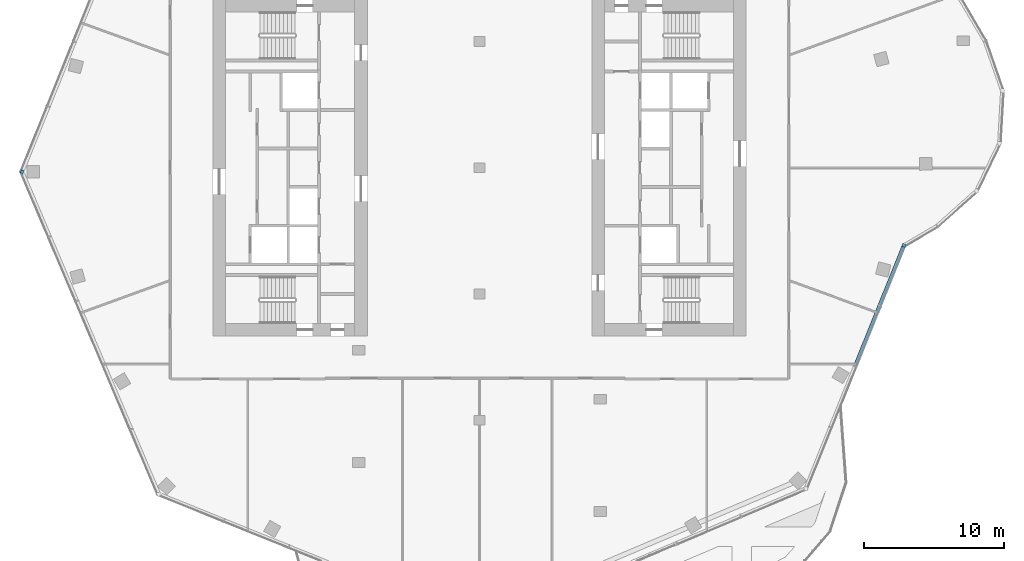
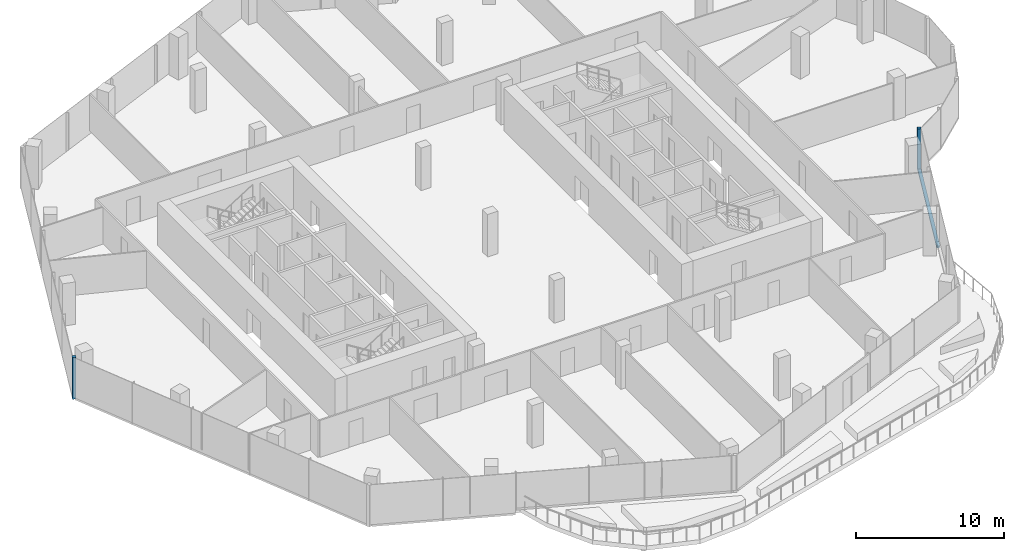
# One storey, part 5 of 17: 3 members, 2 elements without a shape of their own.
"""IFC4 building model written with IfcOpenShell, lengths in metres."""

from ifc_helpers import new_model, si_unit, direction, frame, origin, origin_2d, place, context, subcontext, project, spatial, rectangle, extrude, material, material_profile, profile_set, type_object, element, aggregate, save


model = new_model("IFC4")

# Units and contexts
model_context = context("Model", 3, precision=1e-05, world=origin(), true_north=direction((0.0, 1.0)))
body_context = subcontext(model_context, "Body", "Model", "MODEL_VIEW")
ifc_project = project(units=[si_unit("LENGTHUNIT", "METRE"), si_unit("AREAUNIT", "SQUARE_METRE"), si_unit("VOLUMEUNIT", "CUBIC_METRE"), si_unit("PLANEANGLEUNIT", "RADIAN"), si_unit("MASSUNIT", "GRAM", prefix="KILO")], contexts=[model_context])

# Site, building, storey
site_placement = place(None, origin())
site = spatial("IfcSite", under=ifc_project, at=site_placement, CompositionType="ELEMENT")
building_placement = place(site_placement, origin())
building = spatial("IfcBuilding", under=site, at=building_placement, Name="Orlundy Tower", CompositionType="ELEMENT")
storey_placement = place(building_placement, frame((0.0, 0.0, 296.39990234375)))
storey = spatial("IfcBuildingStorey", under=building, at=storey_placement, Name="L79", CompositionType="ELEMENT", Elevation=296.39990234375)

# Curtain wall, member
ifc_material_1 = material(Name="Aluminium bronze anodised", Category="aluminium")
curtain_wall_type = type_object("IfcCurtainWallType", Name="CW6 wall", PredefinedType="NOTDEFINED", material=ifc_material_1)
curtain_wall_1_placement = place(storey_placement, origin())
curtain_wall_1 = element("IfcCurtainWall", 1, at=curtain_wall_1_placement, inside=storey, type_object=curtain_wall_type, Name="CW6 run 01", PredefinedType="NOTDEFINED")
ifc_material_2 = material(Name="Aluminium bronze anodised", Category="aluminium")
ifc_material_profile_1 = material_profile(ifc_material_2, rectangle(XDim=0.239990234375, YDim=0.239990234375, at=origin_2d()), Name="CW6 corner post 240x240")
ifc_profile_set_1 = profile_set([ifc_material_profile_1], Name="Aluminium bronze anodised")
member_type_1 = type_object("IfcMemberType", Name="CW6 corner post 240x240", PredefinedType="MULLION", material=ifc_profile_set_1)
member_1_placement = place(storey_placement, frame((30.25, -5.53271484375, -0.39990234375), z_axis=(0.0, 0.0, 1.0), x_axis=(0.927196764911, -0.374574637608, 0.0)))
member_1 = element("IfcMember", 2, at=member_1_placement, type_object=member_type_1, Name="CW6 mullion 2", PredefinedType="MULLION", context=body_context, shape_type="SweptSolid", body=[
    extrude(rectangle(XDim=0.239990234375, YDim=0.239990234375, at=origin_2d()), origin(), (0.0, 0.0, 1.0), 3.449951171875),
])

curtain_wall_2_placement = place(storey_placement, origin())
curtain_wall_2 = element("IfcCurtainWall", 3, at=curtain_wall_2_placement, inside=storey, type_object=curtain_wall_type, Name="CW6 run 05", PredefinedType="NOTDEFINED")
member_2_placement = place(storey_placement, frame((-32.600830078125, -0.2841796875, -0.39990234375), z_axis=(0.0, 0.0, 1.0), x_axis=(-0.927183523653, 0.374607412456, 0.0)))
member_2 = element("IfcMember", 4, at=member_2_placement, type_object=member_type_1, Name="CW6 mullion 21", PredefinedType="MULLION", context=body_context, shape_type="SweptSolid", body=[
    extrude(rectangle(XDim=0.239990234375, YDim=0.239990234375, at=origin_2d()), origin(), (0.0, 0.0, 1.0), 3.449951171875),
])
aggregate(curtain_wall_2, [member_2])

# Member
ifc_material_3 = material(Name="Aluminium bronze anodised", Category="aluminium")
ifc_material_profile_2 = material_profile(ifc_material_3, rectangle(XDim=0.239990234375, YDim=0.159912109375, at=origin_2d()), Name="CW6 transom 240x160")
ifc_profile_set_2 = profile_set([ifc_material_profile_2], Name="Aluminium bronze anodised")
member_type_2 = type_object("IfcMemberType", Name="CW6 transom 240x160", PredefinedType="USERDEFINED", material=ifc_profile_set_2)
member_3_placement = place(storey_placement, frame((30.205078125, -5.64404296875, -0.31982421875), z_axis=(-0.374586148075, -0.927192114759, 0.0), x_axis=(0.927192114759, -0.374586148075, 0.0)))
member_3 = element("IfcMember", 5, at=member_3_placement, type_object=member_type_2, Name="CW6 transom", ObjectType="TRANSOM", PredefinedType="USERDEFINED", context=body_context, shape_type="SweptSolid", body=[
    extrude(rectangle(XDim=0.239990234375, YDim=0.159912109375, at=origin_2d()), origin(), (0.0, 0.0, 1.0), 9.148681640625),
])

aggregate(curtain_wall_1, [member_1, member_3])

save(model, "model.ifc")
